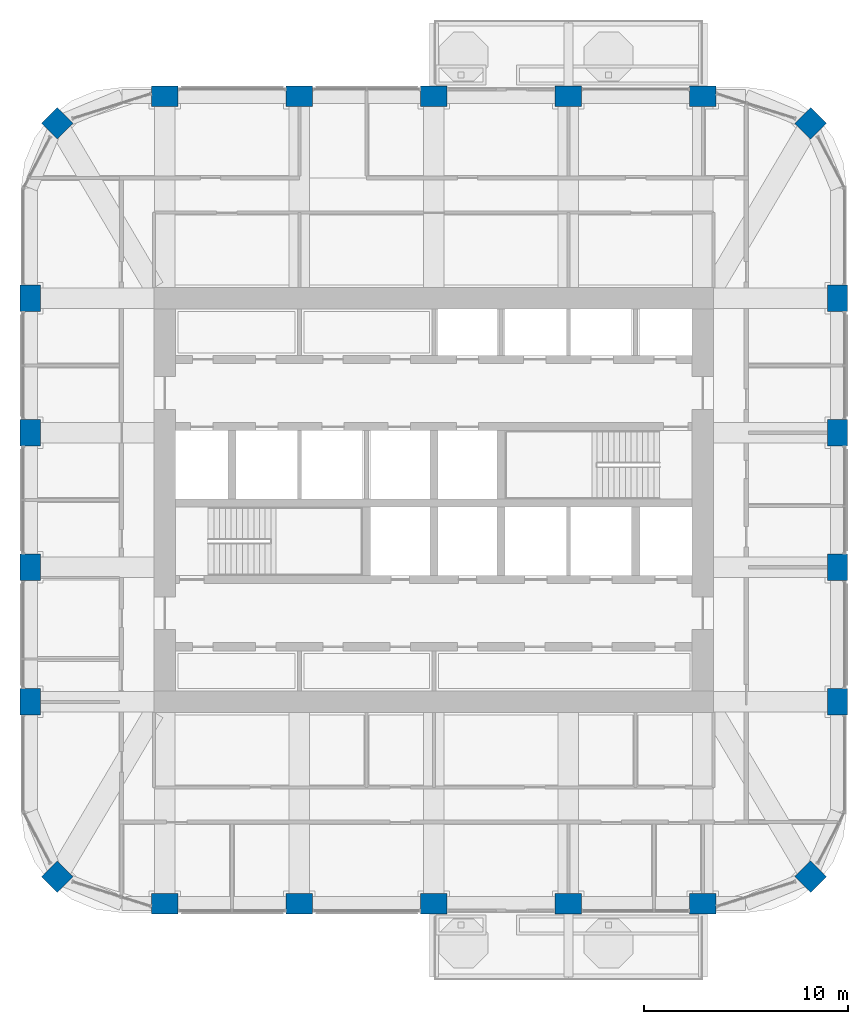
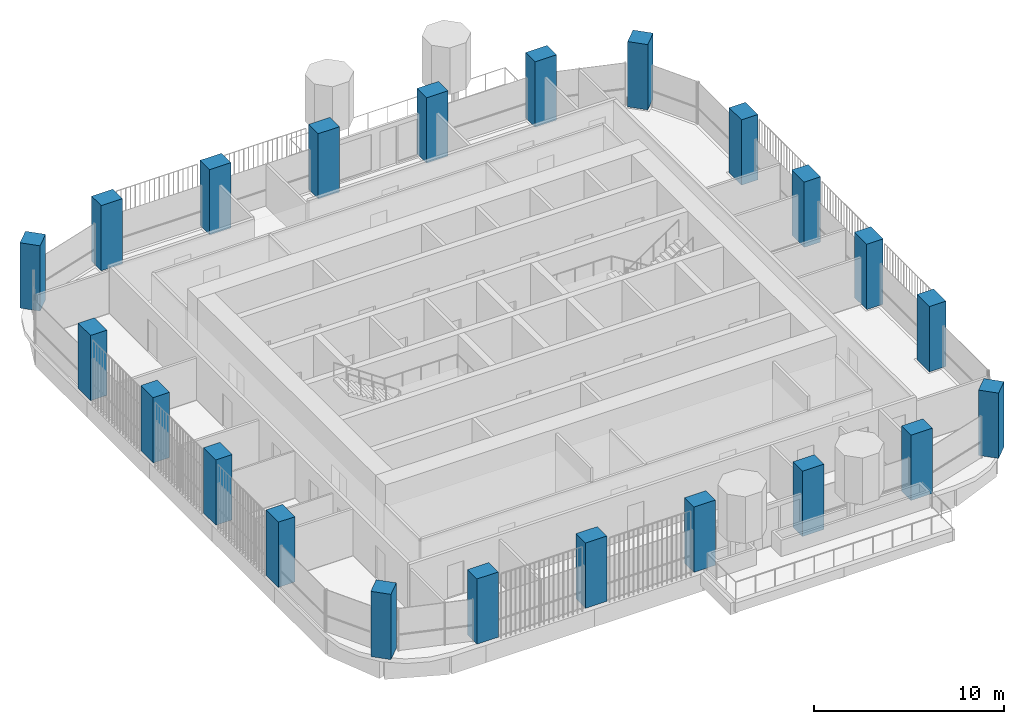
# One storey, part 1 of 20: 22 columns.
"""IFC4 building model written with IfcOpenShell, lengths in metres."""

from ifc_helpers import new_model, si_unit, direction, frame, origin, origin_2d, place, context, subcontext, project, spatial, rectangle, extrude, material, material_profile, profile_set, type_object, element, save


model = new_model("IFC4")

# Units and contexts
model_context = context("Model", 3, precision=1e-05, world=origin(), true_north=direction((0.0, 1.0)))
body_context = subcontext(model_context, "Body", "Model", "MODEL_VIEW")
ifc_project = project(units=[si_unit("LENGTHUNIT", "METRE"), si_unit("AREAUNIT", "SQUARE_METRE"), si_unit("VOLUMEUNIT", "CUBIC_METRE"), si_unit("PLANEANGLEUNIT", "RADIAN"), si_unit("MASSUNIT", "GRAM", prefix="KILO")], contexts=[model_context])

# Site, building, storey
site_placement = place(None, origin())
site = spatial("IfcSite", under=ifc_project, at=site_placement, CompositionType="ELEMENT")
building_placement = place(site_placement, origin())
building = spatial("IfcBuilding", under=site, at=building_placement, Name="Cobogo Forest Laboratory Tower", CompositionType="ELEMENT")
storey_placement = place(building_placement, frame((0.0, 0.0, 233.39990234375)))
storey = spatial("IfcBuildingStorey", under=building, at=storey_placement, Name="L53", CompositionType="ELEMENT", Elevation=233.39990234375)

# Columns
ifc_material = material(Name="Concrete HA-50 (C50/60)", Category="concrete")
ifc_material_profile_1 = material_profile(ifc_material, rectangle(XDim=1.300048828125, YDim=1.0, at=origin_2d()), Name="RC 1000x1300")
ifc_profile_set_1 = profile_set([ifc_material_profile_1], Name="Concrete HA-50 (C50/60)")
column_type_1 = type_object("IfcColumnType", Name="Blade column 1000x1300", PredefinedType="COLUMN", material=ifc_profile_set_1)
for number, where, z_axis, x_axis, name in (
    (1, (13.199951171875, 3.300048828125, 0.0), (0.0, 0.0, 1.0), (1.0, 0.0, 0.0), "Column 3-A.1 L53"),
    (2, (19.800048828125, 3.300048828125, 0.0), (0.0, 0.0, 1.0), (1.0, 0.0, 0.0), "Column 4-A.1 L53"),
    (3, (26.39990234375, 3.300048828125, 0.0), (0.0, 0.0, 1.0), (1.0, 0.0, 0.0), "Column 5-A.1 L53"),
    (4, (33.0, 3.300048828125, 0.0), (0.0, 0.0, 1.0), (1.0, 0.0, 0.0), "Column 6-A.1 L53"),
    (5, (39.60009765625, 3.300048828125, 0.0), (0.0, 0.0, 1.0), (1.0, 0.0, 0.0), "Column 7-A.1 L53"),
    (6, (6.60009765625, 13.199951171875, 0.0), (0.0, 0.0, 1.0), (0.0, 1.0, 0.0), "Column 2-C L53"),
    (7, (46.199951171875, 13.199951171875, 0.0), (0.0, 0.0, 1.0), (0.0, 1.0, 0.0), "Column 8-C L53"),
    (8, (6.60009765625, 19.800048828125, 0.0), (0.0, 0.0, 1.0), (0.0, 1.0, 0.0), "Column 2-D L53"),
    (9, (46.199951171875, 19.800048828125, 0.0), (0.0, 0.0, 1.0), (0.0, 1.0, 0.0), "Column 8-D L53"),
    (10, (6.60009765625, 26.39990234375, 0.0), (0.0, 0.0, 1.0), (0.0, 1.0, 0.0), "Column 2-E L53"),
    (11, (46.199951171875, 26.39990234375, 0.0), (0.0, 0.0, 1.0), (0.0, 1.0, 0.0), "Column 8-E L53"),
    (12, (6.60009765625, 33.0, 0.0), (0.0, 0.0, 1.0), (0.0, 1.0, 0.0), "Column 2-F L53"),
    (13, (46.199951171875, 33.0, 0.0), (0.0, 0.0, 1.0), (0.0, 1.0, 0.0), "Column 8-F L53"),
    (14, (13.199951171875, 42.89990234375, 0.0), (0.0, 0.0, 1.0), (1.0, 0.0, 0.0), "Column 3-G.1 L53"),
    (15, (19.800048828125, 42.89990234375, 0.0), (0.0, 0.0, 1.0), (1.0, 0.0, 0.0), "Column 4-G.1 L53"),
    (16, (26.39990234375, 42.89990234375, 0.0), (0.0, 0.0, 1.0), (1.0, 0.0, 0.0), "Column 5-G.1 L53"),
    (17, (33.0, 42.89990234375, 0.0), (0.0, 0.0, 1.0), (1.0, 0.0, 0.0), "Column 6-G.1 L53"),
    (18, (39.60009765625, 42.89990234375, 0.0), (0.0, 0.0, 1.0), (1.0, 0.0, 0.0), "Column 7-G.1 L53"),
):
    element("IfcColumn", number, at=place(storey_placement, frame(where, z_axis=z_axis, x_axis=x_axis)), inside=storey, type_object=column_type_1, Name=name, PredefinedType="COLUMN", context=body_context, shape_type="SweptSolid", body=[
        extrude(rectangle(XDim=1.300048828125, YDim=1.0, at=origin_2d()), origin(), (0.0, 0.0, 1.0), 4.2001953125),
    ])
ifc_material_profile_2 = material_profile(ifc_material, rectangle(XDim=1.10009765625, YDim=1.10009765625, at=origin_2d()), Name="RC 1100x1100")
ifc_profile_set_2 = profile_set([ifc_material_profile_2], Name="Concrete HA-50 (C50/60)")
column_type_2 = type_object("IfcColumnType", Name="Column 1100x1100", PredefinedType="COLUMN", material=ifc_profile_set_2)
for number, where, z_axis, x_axis, name in (
    (19, (7.91796875, 4.617919921875, 0.0), (0.0, 0.0, 1.0), (0.707106781187, 0.707106781187, 0.0), "Column CNR-SW L53"),
    (20, (44.882080078125, 4.617919921875, 0.0), (0.0, 0.0, 1.0), (0.707106781187, 0.707106781187, 0.0), "Column CNR-SE L53"),
    (21, (7.91796875, 41.58203125, 0.0), (0.0, 0.0, 1.0), (0.707106781187, 0.707106781187, 0.0), "Column CNR-NW L53"),
    (22, (44.882080078125, 41.58203125, 0.0), (0.0, 0.0, 1.0), (0.707106781187, 0.707106781187, 0.0), "Column CNR-NE L53"),
):
    element("IfcColumn", number, at=place(storey_placement, frame(where, z_axis=z_axis, x_axis=x_axis)), inside=storey, type_object=column_type_2, Name=name, PredefinedType="COLUMN", context=body_context, shape_type="SweptSolid", body=[
        extrude(rectangle(XDim=1.10009765625, YDim=1.10009765625, at=origin_2d()), origin(), (0.0, 0.0, 1.0), 4.2001953125),
    ])

save(model, "model.ifc")
